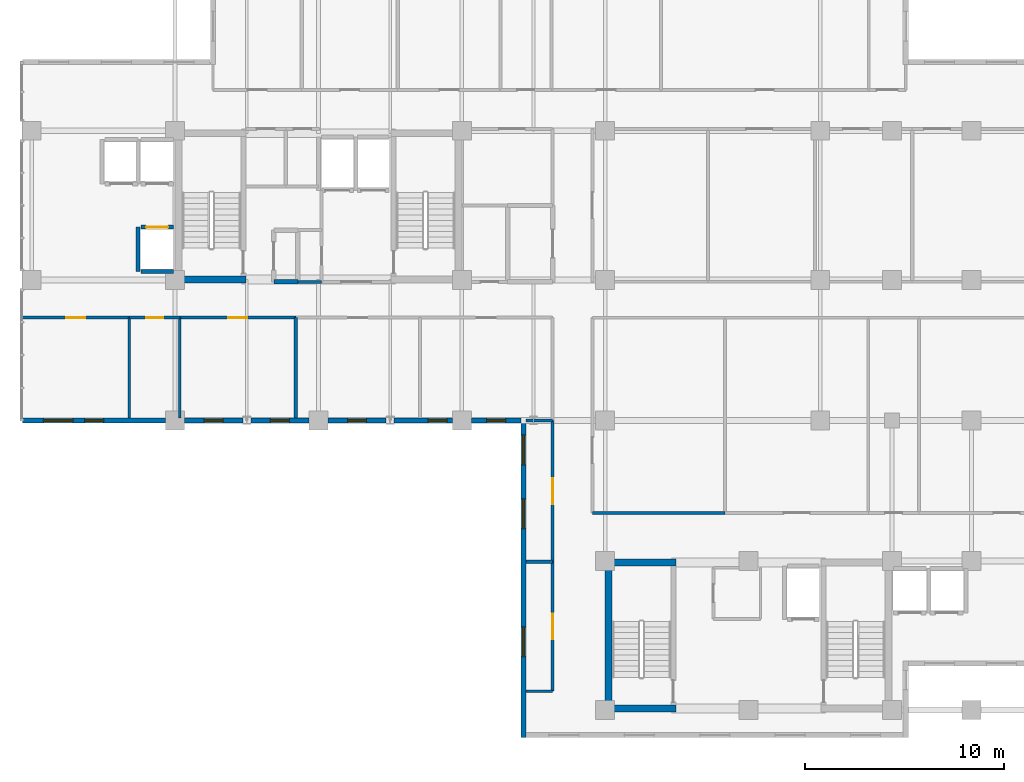
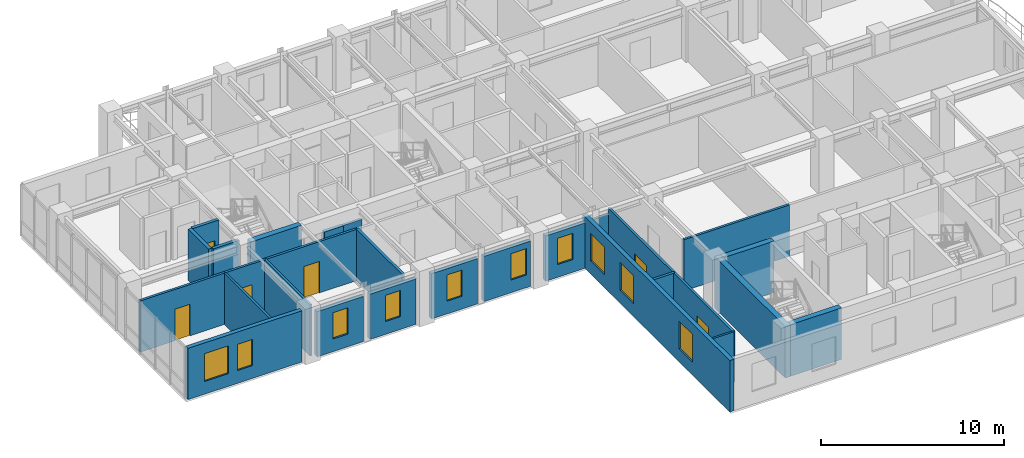
# One storey, part 12 of 20: 28 walls, 10 windows, 6 doors, 16 openings.
"""IFC4 building model written with IfcOpenShell, lengths in metres."""

from ifc_helpers import new_model, si_unit, direction, frame, frame_2d, origin, place, context, subcontext, project, spatial, rectangle, extrude, material, layer, layer_set, type_object, element, fill, save


model = new_model("IFC4")

# Units and contexts
model_context = context("Model", 3, precision=1e-05, world=origin(), true_north=direction((0.0, 1.0)))
body_context = subcontext(model_context, "Body", "Model", "MODEL_VIEW")
ifc_project = project(units=[si_unit("LENGTHUNIT", "METRE"), si_unit("AREAUNIT", "SQUARE_METRE"), si_unit("VOLUMEUNIT", "CUBIC_METRE"), si_unit("PLANEANGLEUNIT", "RADIAN"), si_unit("MASSUNIT", "GRAM", prefix="KILO")], contexts=[model_context])

# Site, building, storey
site_placement = place(None, origin())
site = spatial("IfcSite", under=ifc_project, at=site_placement, CompositionType="ELEMENT")
building_placement = place(site_placement, origin())
building = spatial("IfcBuilding", under=site, at=building_placement, Name="Kaliganga Portal Commons", CompositionType="ELEMENT")
storey_placement = place(building_placement, frame((0.0, 0.0, 231.39990234375)))
storey = spatial("IfcBuildingStorey", under=building, at=storey_placement, Name="L59", CompositionType="ELEMENT", Elevation=231.39990234375)

# Walls
ifc_material_1 = material(Name="Concrete C50/60", Category="concrete")
ifc_layer_1 = layer(ifc_material_1, 0.35009765625)
ifc_layer_set_1 = layer_set([ifc_layer_1], Name="Concrete C50/60")
wall_type_1 = type_object("IfcWallType", Name="WL-CORE-350", PredefinedType="SHEAR", material=ifc_layer_set_1)
wall_1_placement = place(storey_placement, frame((14.75, 28.675048828125, 0.0), z_axis=(0.0, 0.0, 1.0), x_axis=(1.0, 0.0, 0.0)))
element("IfcWall", 1, at=wall_1_placement, inside=storey, type_object=wall_type_1, Name="Core A S-West Shear Wall L59", PredefinedType="SHEAR", context=body_context, shape_type="SweptSolid", body=[
    extrude(rectangle(XDim=3.199951171875, YDim=0.35009765625, at=frame_2d((1.60009765625, 0.0))), origin(), (0.0, 0.0, 1.0), 3.440185546875),
])
wall_2_placement = place(storey_placement, frame((36.175048828125, 6.949951171875, 0.0), z_axis=(0.0, 0.0, 1.0), x_axis=(0.0, 1.0, 0.0)))
element("IfcWall", 2, at=wall_2_placement, inside=storey, type_object=wall_type_1, Name="Core B West Shear Wall L59", PredefinedType="SHEAR", context=body_context, shape_type="SweptSolid", body=[
    extrude(rectangle(XDim=7.699951171875, YDim=0.35009765625, at=frame_2d((3.85009765625, 0.0))), origin(), (0.0, 0.0, 1.0), 3.440185546875),
])
for number, where, z_axis, x_axis, name in (
    (3, (36.35009765625, 7.125, 0.0), (0.0, 0.0, 1.0), (1.0, 0.0, 0.0), "Core B S-West Shear Wall L59"),
    (4, (36.35009765625, 14.47509765625, 0.0), (0.0, 0.0, 1.0), (1.0, 0.0, 0.0), "Core B N-West Shear Wall L59"),
):
    element("IfcWall", number, at=place(storey_placement, frame(where, z_axis=z_axis, x_axis=x_axis)), inside=storey, type_object=wall_type_1, Name=name, PredefinedType="SHEAR", context=body_context, shape_type="SweptSolid", body=[
        extrude(rectangle(XDim=3.199951171875, YDim=0.35009765625, at=frame_2d((1.60009765625, 0.0))), origin(), (0.0, 0.0, 1.0), 3.440185546875),
    ])

# Wall, openings, windows
ifc_material_2 = material(Name="Insulated Aluminium-Clad Spandrel Assembly", Category="aluminium")
ifc_layer_2 = layer(ifc_material_2, 0.260009765625)
ifc_layer_set_2 = layer_set([ifc_layer_2], Name="Insulated Aluminium-Clad Spandrel Assembly")
wall_type_2 = type_object("IfcWallType", Name="WL-EXT-SPAND-260", PredefinedType="STANDARD", material=ifc_layer_set_2)
wall_3_placement = place(storey_placement, frame((13.924072265625, 21.60009765625, 0.0), z_axis=(0.0, 0.0, 1.0), x_axis=(-1.0, 0.0, 0.0)))
wall_3 = element("IfcWall", 5, at=wall_3_placement, inside=storey, type_object=wall_type_2, Name="Exterior Envelope Wall L59 P1-E10-S1", PredefinedType="STANDARD", context=body_context, shape_type="SweptSolid", body=[
    extrude(rectangle(XDim=7.18701171875, YDim=0.260009765625, at=frame_2d((3.593505859375, 0.0))), origin(), (0.0, 0.0, 1.0), 3.420166015625),
])
opening_1_placement = place(wall_3_placement, frame((4.64013671875, 0.0, 0.85009765625)))
opening_1 = element("IfcOpeningElement", 6, at=opening_1_placement, cuts=wall_3, Name="Opening W-02", PredefinedType="OPENING", context=body_context, shape_type="SweptSolid", body=[
    extrude(rectangle(XDim=1.5, YDim=1.85009765625, at=frame_2d((0.75, 0.925048828125))), frame((0.0, 0.14013671875, 0.0), z_axis=(0.0, -1.0, 0.0), x_axis=(1.0, 0.0, 0.0)), (0.0, 0.0, 1.0), 0.280029296875),
])
opening_2_placement = place(wall_3_placement, frame((3.118408203125, 0.0, 0.85009765625)))
opening_2 = element("IfcOpeningElement", 7, at=opening_2_placement, cuts=wall_3, Name="Opening W-04", PredefinedType="OPENING", context=body_context, shape_type="SweptSolid", body=[
    extrude(rectangle(XDim=0.949951171875, YDim=1.75, at=frame_2d((0.47509765625, 0.875))), frame((0.0, 0.14013671875, 0.0), z_axis=(0.0, -1.0, 0.0), x_axis=(1.0, 0.0, 0.0)), (0.0, 0.0, 1.0), 0.280029296875),
])
ifc_material_3 = material(Name="Thermally Broken Aluminium and Low-E Double Glazing", Category="aluminium")
window_type_1 = type_object("IfcWindowType", Name="WIN-NARROW-950", PartitioningType="SINGLE_PANEL", PredefinedType="WINDOW", material=ifc_material_3)
window_1_placement = place(opening_2_placement, origin())
window_1 = element("IfcWindow", 8, at=window_1_placement, inside=storey, type_object=window_type_1, Name="Facade Window L59-P1E10S1-N0", OverallHeight=1.75, OverallWidth=0.949951171875, PartitioningType="SINGLE_PANEL", PredefinedType="WINDOW", context=body_context, shape_type="SweptSolid", body=[
    extrude(rectangle(XDim=0.949951171875, YDim=1.75, at=frame_2d((0.47509765625, 0.875))), frame((0.0, 0.030029296875, 0.0), z_axis=(0.0, -1.0, 0.0), x_axis=(1.0, 0.0, 0.0)), (0.0, 0.0, 1.0), 0.06005859375),
])
fill(opening_2, window_1)
window_type_2 = type_object("IfcWindowType", Name="WIN-STD-1500", PartitioningType="DOUBLE_PANEL_VERTICAL", PredefinedType="WINDOW", material=ifc_material_3)
window_2_placement = place(opening_1_placement, origin())
window_2 = element("IfcWindow", 9, at=window_2_placement, inside=storey, type_object=window_type_2, Name="Facade Window L59-P1E10S1-01", OverallHeight=1.85009765625, OverallWidth=1.5, PartitioningType="SINGLE_PANEL", PredefinedType="WINDOW", context=body_context, shape_type="SweptSolid", body=[
    extrude(rectangle(XDim=1.5, YDim=1.85009765625, at=frame_2d((0.75, 0.925048828125))), frame((0.0, 0.030029296875, 0.0), z_axis=(0.0, -1.0, 0.0), x_axis=(1.0, 0.0, 0.0)), (0.0, 0.0, 1.0), 0.06005859375),
])
fill(opening_1, window_2)

# Wall, opening, window
wall_4_placement = place(storey_placement, frame((17.799560546875, 21.60009765625, 0.0), z_axis=(0.0, 0.0, 1.0), x_axis=(-1.0, 0.0, 0.0)))
wall_4 = element("IfcWall", 10, at=wall_4_placement, inside=storey, type_object=wall_type_2, Name="Exterior Envelope Wall L59 P1-E10-S2", PredefinedType="STANDARD", context=body_context, shape_type="SweptSolid", body=[
    extrude(rectangle(XDim=2.923583984375, YDim=0.260009765625, at=frame_2d((1.4619140625, 0.0))), origin(), (0.0, 0.0, 1.0), 3.02001953125),
])
opening_3_placement = place(wall_4_placement, frame((0.98681640625, 0.0, 0.85009765625)))
opening_3 = element("IfcOpeningElement", 11, at=opening_3_placement, cuts=wall_4, Name="Opening W-04", PredefinedType="OPENING", context=body_context, shape_type="SweptSolid", body=[
    extrude(rectangle(XDim=0.949951171875, YDim=1.75, at=frame_2d((0.47509765625, 0.875))), frame((0.0, 0.14013671875, 0.0), z_axis=(0.0, -1.0, 0.0), x_axis=(1.0, 0.0, 0.0)), (0.0, 0.0, 1.0), 0.280029296875),
])
window_3_placement = place(opening_3_placement, origin())
window_3 = element("IfcWindow", 12, at=window_3_placement, inside=storey, type_object=window_type_1, Name="Facade Window L59-P1E10S2-00", OverallHeight=1.75, OverallWidth=0.949951171875, PartitioningType="SINGLE_PANEL", PredefinedType="WINDOW", context=body_context, shape_type="SweptSolid", body=[
    extrude(rectangle(XDim=0.949951171875, YDim=1.75, at=frame_2d((0.47509765625, 0.875))), frame((0.0, 0.030029296875, 0.0), z_axis=(0.0, -1.0, 0.0), x_axis=(1.0, 0.0, 0.0)), (0.0, 0.0, 1.0), 0.06005859375),
])
fill(opening_3, window_3)

wall_5_placement = place(storey_placement, frame((21.1240234375, 21.60009765625, 0.0), z_axis=(0.0, 0.0, 1.0), x_axis=(-1.0, 0.0, 0.0)))
wall_5 = element("IfcWall", 13, at=wall_5_placement, inside=storey, type_object=wall_type_2, Name="Exterior Envelope Wall L59 P1-E10-S3", PredefinedType="STANDARD", context=body_context, shape_type="SweptSolid", body=[
    extrude(rectangle(XDim=2.923583984375, YDim=0.260009765625, at=frame_2d((1.4619140625, 0.0))), origin(), (0.0, 0.0, 1.0), 3.02001953125),
])
opening_4_placement = place(wall_5_placement, frame((0.98681640625, 0.0, 0.85009765625)))
opening_4 = element("IfcOpeningElement", 14, at=opening_4_placement, cuts=wall_5, Name="Opening W-04", PredefinedType="OPENING", context=body_context, shape_type="SweptSolid", body=[
    extrude(rectangle(XDim=0.949951171875, YDim=1.75, at=frame_2d((0.47509765625, 0.875))), frame((0.0, 0.14013671875, 0.0), z_axis=(0.0, -1.0, 0.0), x_axis=(1.0, 0.0, 0.0)), (0.0, 0.0, 1.0), 0.280029296875),
])
window_4_placement = place(opening_4_placement, origin())
window_4 = element("IfcWindow", 15, at=window_4_placement, inside=storey, type_object=window_type_1, Name="Facade Window L59-P1E10S3-00", OverallHeight=1.75, OverallWidth=0.949951171875, PartitioningType="SINGLE_PANEL", PredefinedType="WINDOW", context=body_context, shape_type="SweptSolid", body=[
    extrude(rectangle(XDim=0.949951171875, YDim=1.75, at=frame_2d((0.47509765625, 0.875))), frame((0.0, 0.030029296875, 0.0), z_axis=(0.0, -1.0, 0.0), x_axis=(1.0, 0.0, 0.0)), (0.0, 0.0, 1.0), 0.06005859375),
])
fill(opening_4, window_4)

wall_6_placement = place(storey_placement, frame((24.99951171875, 21.60009765625, 0.0), z_axis=(0.0, 0.0, 1.0), x_axis=(-1.0, 0.0, 0.0)))
wall_6 = element("IfcWall", 16, at=wall_6_placement, inside=storey, type_object=wall_type_2, Name="Exterior Envelope Wall L59 P1-E10-S4", PredefinedType="STANDARD", context=body_context, shape_type="SweptSolid", body=[
    extrude(rectangle(XDim=2.923583984375, YDim=0.260009765625, at=frame_2d((1.4619140625, 0.0))), origin(), (0.0, 0.0, 1.0), 3.02001953125),
])
opening_5_placement = place(wall_6_placement, frame((0.98681640625, 0.0, 0.85009765625)))
opening_5 = element("IfcOpeningElement", 17, at=opening_5_placement, cuts=wall_6, Name="Opening W-04", PredefinedType="OPENING", context=body_context, shape_type="SweptSolid", body=[
    extrude(rectangle(XDim=0.949951171875, YDim=1.75, at=frame_2d((0.47509765625, 0.875))), frame((0.0, 0.14013671875, 0.0), z_axis=(0.0, -1.0, 0.0), x_axis=(1.0, 0.0, 0.0)), (0.0, 0.0, 1.0), 0.280029296875),
])
window_5_placement = place(opening_5_placement, origin())
window_5 = element("IfcWindow", 18, at=window_5_placement, inside=storey, type_object=window_type_1, Name="Facade Window L59-P1E10S4-00", OverallHeight=1.75, OverallWidth=0.949951171875, PartitioningType="SINGLE_PANEL", PredefinedType="WINDOW", context=body_context, shape_type="SweptSolid", body=[
    extrude(rectangle(XDim=0.949951171875, YDim=1.75, at=frame_2d((0.47509765625, 0.875))), frame((0.0, 0.030029296875, 0.0), z_axis=(0.0, -1.0, 0.0), x_axis=(1.0, 0.0, 0.0)), (0.0, 0.0, 1.0), 0.06005859375),
])
fill(opening_5, window_5)

wall_7_placement = place(storey_placement, frame((28.323974609375, 21.60009765625, 0.0), z_axis=(0.0, 0.0, 1.0), x_axis=(-1.0, 0.0, 0.0)))
wall_7 = element("IfcWall", 19, at=wall_7_placement, inside=storey, type_object=wall_type_2, Name="Exterior Envelope Wall L59 P1-E10-S5", PredefinedType="STANDARD", context=body_context, shape_type="SweptSolid", body=[
    extrude(rectangle(XDim=2.923583984375, YDim=0.260009765625, at=frame_2d((1.4619140625, 0.0))), origin(), (0.0, 0.0, 1.0), 3.02001953125),
])
opening_6_placement = place(wall_7_placement, frame((0.26171875, 0.0, 0.85009765625)))
opening_6 = element("IfcOpeningElement", 20, at=opening_6_placement, cuts=wall_7, Name="Opening W-04", PredefinedType="OPENING", context=body_context, shape_type="SweptSolid", body=[
    extrude(rectangle(XDim=0.949951171875, YDim=1.75, at=frame_2d((0.47509765625, 0.875))), frame((0.0, 0.14013671875, 0.0), z_axis=(0.0, -1.0, 0.0), x_axis=(1.0, 0.0, 0.0)), (0.0, 0.0, 1.0), 0.280029296875),
])
window_6_placement = place(opening_6_placement, origin())
window_6 = element("IfcWindow", 21, at=window_6_placement, inside=storey, type_object=window_type_1, Name="Facade Window L59-P1E10S5-N1", OverallHeight=1.75, OverallWidth=0.949951171875, PartitioningType="SINGLE_PANEL", PredefinedType="WINDOW", context=body_context, shape_type="SweptSolid", body=[
    extrude(rectangle(XDim=0.949951171875, YDim=1.75, at=frame_2d((0.47509765625, 0.875))), frame((0.0, 0.030029296875, 0.0), z_axis=(0.0, -1.0, 0.0), x_axis=(1.0, 0.0, 0.0)), (0.0, 0.0, 1.0), 0.06005859375),
])
fill(opening_6, window_6)

wall_8_placement = place(storey_placement, frame((31.764892578125, 21.60009765625, 0.0), z_axis=(0.0, 0.0, 1.0), x_axis=(-1.0, 0.0, 0.0)))
wall_8 = element("IfcWall", 22, at=wall_8_placement, inside=storey, type_object=wall_type_2, Name="Exterior Envelope Wall L59 P1-E10-S6", PredefinedType="STANDARD", context=body_context, shape_type="SweptSolid", body=[
    extrude(rectangle(XDim=2.489013671875, YDim=0.260009765625, at=frame_2d((1.24462890625, 0.0))), origin(), (0.0, 0.0, 1.0), 3.02001953125),
])
opening_7_placement = place(wall_8_placement, frame((0.76953125, 0.0, 0.85009765625)))
opening_7 = element("IfcOpeningElement", 23, at=opening_7_placement, cuts=wall_8, Name="Opening W-04", PredefinedType="OPENING", context=body_context, shape_type="SweptSolid", body=[
    extrude(rectangle(XDim=0.949951171875, YDim=1.75, at=frame_2d((0.47509765625, 0.875))), frame((0.0, 0.14013671875, 0.0), z_axis=(0.0, -1.0, 0.0), x_axis=(1.0, 0.0, 0.0)), (0.0, 0.0, 1.0), 0.280029296875),
])
window_7_placement = place(opening_7_placement, origin())
window_7 = element("IfcWindow", 24, at=window_7_placement, inside=storey, type_object=window_type_1, Name="Facade Window L59-P1E10S6-00", OverallHeight=1.75, OverallWidth=0.949951171875, PartitioningType="SINGLE_PANEL", PredefinedType="WINDOW", context=body_context, shape_type="SweptSolid", body=[
    extrude(rectangle(XDim=0.949951171875, YDim=1.75, at=frame_2d((0.47509765625, 0.875))), frame((0.0, 0.030029296875, 0.0), z_axis=(0.0, -1.0, 0.0), x_axis=(1.0, 0.0, 0.0)), (0.0, 0.0, 1.0), 0.06005859375),
])
fill(opening_7, window_7)

# Wall, openings, windows
wall_9_placement = place(storey_placement, frame((31.89990234375, 5.669921875, 0.0), z_axis=(0.0, 0.0, 1.0), x_axis=(0.0, 1.0, 0.0)))
wall_9 = element("IfcWall", 25, at=wall_9_placement, inside=storey, type_object=wall_type_2, Name="Exterior Envelope Wall L59 P1-E11-S1", PredefinedType="STANDARD", context=body_context, shape_type="SweptSolid", body=[
    extrude(rectangle(XDim=16.06005859375, YDim=0.260009765625, at=frame_2d((8.030029296875, 0.0))), origin(), (0.0, 0.0, 1.0), 3.420166015625),
])
opening_8_placement = place(wall_9_placement, frame((4.068115234375, 0.0, 0.85009765625)))
opening_8 = element("IfcOpeningElement", 26, at=opening_8_placement, cuts=wall_9, Name="Opening W-02", PredefinedType="OPENING", context=body_context, shape_type="SweptSolid", body=[
    extrude(rectangle(XDim=1.5, YDim=1.85009765625, at=frame_2d((0.75, 0.925048828125))), frame((0.0, 0.14013671875, 0.0), z_axis=(0.0, -1.0, 0.0), x_axis=(1.0, 0.0, 0.0)), (0.0, 0.0, 1.0), 0.280029296875),
])
opening_9_placement = place(wall_9_placement, frame((10.491943359375, 0.0, 0.85009765625)))
opening_9 = element("IfcOpeningElement", 27, at=opening_9_placement, cuts=wall_9, Name="Opening W-02", PredefinedType="OPENING", context=body_context, shape_type="SweptSolid", body=[
    extrude(rectangle(XDim=1.5, YDim=1.85009765625, at=frame_2d((0.75, 0.925048828125))), frame((0.0, 0.14013671875, 0.0), z_axis=(0.0, -1.0, 0.0), x_axis=(1.0, 0.0, 0.0)), (0.0, 0.0, 1.0), 0.280029296875),
])
opening_10_placement = place(wall_9_placement, frame((13.7041015625, 0.0, 0.85009765625)))
opening_10 = element("IfcOpeningElement", 28, at=opening_10_placement, cuts=wall_9, Name="Opening W-02", PredefinedType="OPENING", context=body_context, shape_type="SweptSolid", body=[
    extrude(rectangle(XDim=1.5, YDim=1.85009765625, at=frame_2d((0.75, 0.925048828125))), frame((0.0, 0.14013671875, 0.0), z_axis=(0.0, -1.0, 0.0), x_axis=(1.0, 0.0, 0.0)), (0.0, 0.0, 1.0), 0.280029296875),
])
window_8_placement = place(opening_8_placement, origin())
window_8 = element("IfcWindow", 29, at=window_8_placement, inside=storey, type_object=window_type_2, Name="Facade Window L59-P1E11S1-01", OverallHeight=1.85009765625, OverallWidth=1.5, PartitioningType="SINGLE_PANEL", PredefinedType="WINDOW", context=body_context, shape_type="SweptSolid", body=[
    extrude(rectangle(XDim=1.5, YDim=1.85009765625, at=frame_2d((0.75, 0.925048828125))), frame((0.0, 0.030029296875, 0.0), z_axis=(0.0, -1.0, 0.0), x_axis=(1.0, 0.0, 0.0)), (0.0, 0.0, 1.0), 0.06005859375),
])
fill(opening_8, window_8)
window_9_placement = place(opening_9_placement, origin())
window_9 = element("IfcWindow", 30, at=window_9_placement, inside=storey, type_object=window_type_2, Name="Facade Window L59-P1E11S1-03", OverallHeight=1.85009765625, OverallWidth=1.5, PartitioningType="SINGLE_PANEL", PredefinedType="WINDOW", context=body_context, shape_type="SweptSolid", body=[
    extrude(rectangle(XDim=1.5, YDim=1.85009765625, at=frame_2d((0.75, 0.925048828125))), frame((0.0, 0.030029296875, 0.0), z_axis=(0.0, -1.0, 0.0), x_axis=(1.0, 0.0, 0.0)), (0.0, 0.0, 1.0), 0.06005859375),
])
fill(opening_9, window_9)
window_10_placement = place(opening_10_placement, origin())
window_10 = element("IfcWindow", 31, at=window_10_placement, inside=storey, type_object=window_type_2, Name="Facade Window L59-P1E11S1-04", OverallHeight=1.85009765625, OverallWidth=1.5, PartitioningType="SINGLE_PANEL", PredefinedType="WINDOW", context=body_context, shape_type="SweptSolid", body=[
    extrude(rectangle(XDim=1.5, YDim=1.85009765625, at=frame_2d((0.75, 0.925048828125))), frame((0.0, 0.030029296875, 0.0), z_axis=(0.0, -1.0, 0.0), x_axis=(1.0, 0.0, 0.0)), (0.0, 0.0, 1.0), 0.06005859375),
])
fill(opening_10, window_10)

# Wall, opening, door
ifc_material_4 = material(Name="Fire-Rated Gypsum Board on Steel Stud", Category="steel")
ifc_layer_3 = layer(ifc_material_4, 0.14990234375)
ifc_layer_set_3 = layer_set([ifc_layer_3], Name="Fire-Rated Gypsum Board on Steel Stud")
wall_type_3 = type_object("IfcWallType", Name="WL-PART-CORR-150", PredefinedType="PARTITIONING", material=ifc_layer_set_3)
wall_10_placement = place(storey_placement, frame((33.360107421875, 14.5, 0.0), z_axis=(0.0, 0.0, 1.0), x_axis=(0.0, 1.0, 0.0)))
wall_10 = element("IfcWall", 32, at=wall_10_placement, inside=storey, type_object=wall_type_3, Name="Interior Partition L59-008", PredefinedType="PARTITIONING", context=body_context, shape_type="SweptSolid", body=[
    extrude(rectangle(XDim=7.10009765625, YDim=0.14990234375, at=frame_2d((3.550048828125, 0.0))), origin(), (0.0, 0.0, 1.0), 3.420166015625),
])
opening_11_placement = place(wall_10_placement, frame((2.89990234375, 0.0, 0.0)))
opening_11 = element("IfcOpeningElement", 33, at=opening_11_placement, cuts=wall_10, Name="Opening RD-03", PredefinedType="OPENING", context=body_context, shape_type="SweptSolid", body=[
    extrude(rectangle(XDim=1.300048828125, YDim=2.1201171875, at=frame_2d((0.64990234375, 1.06005859375))), frame((0.0, 0.0849609375, 0.0), z_axis=(0.0, -1.0, 0.0), x_axis=(1.0, 0.0, 0.0)), (0.0, 0.0, 1.0), 0.169921875),
])
ifc_material_5 = material(Name="Glazed Timber Seminar Vision Door", Category="wood")
door_type_1 = type_object("IfcDoorType", Name="DR-STUDY-1300", OperationType="DOUBLE_DOOR_SINGLE_SWING", PredefinedType="DOOR", material=ifc_material_5)
door_1_placement = place(opening_11_placement, origin())
door_1 = element("IfcDoor", 34, at=door_1_placement, inside=storey, type_object=door_type_1, Name="Interior Door L59-KW02", OperationType="DOUBLE_DOOR_SINGLE_SWING", OverallHeight=2.1201171875, OverallWidth=1.300048828125, PredefinedType="DOOR", context=body_context, shape_type="SweptSolid", body=[
    extrude(rectangle(XDim=1.300048828125, YDim=2.1201171875, at=frame_2d((0.64990234375, 1.06005859375))), frame((0.0, 0.02490234375, 0.0), z_axis=(0.0, -1.0, 0.0), x_axis=(1.0, 0.0, 0.0)), (0.0, 0.0, 1.0), 0.050048828125),
])
fill(opening_11, door_1)

# Wall
wall_11_placement = place(storey_placement, frame((35.360107421875, 16.9599609375, 0.0), z_axis=(0.0, 0.0, 1.0), x_axis=(1.0, 0.0, 0.0)))
element("IfcWall", 35, at=wall_11_placement, inside=storey, type_object=wall_type_3, Name="Interior Partition L59-009", PredefinedType="PARTITIONING", context=body_context, shape_type="SweptSolid", body=[
    extrude(rectangle(XDim=6.659912109375, YDim=0.14990234375, at=frame_2d((3.330078125, 0.0))), origin(), (0.0, 0.0, 1.0), 3.420166015625),
])

# Wall, opening, door
wall_12_placement = place(storey_placement, frame((33.360107421875, 8.0, 0.0), z_axis=(0.0, 0.0, 1.0), x_axis=(0.0, 1.0, 0.0)))
wall_12 = element("IfcWall", 36, at=wall_12_placement, inside=storey, type_object=wall_type_3, Name="Interior Partition L59-011", PredefinedType="PARTITIONING", context=body_context, shape_type="SweptSolid", body=[
    extrude(rectangle(XDim=6.5, YDim=0.14990234375, at=frame_2d((3.25, 0.0))), origin(), (0.0, 0.0, 1.0), 3.420166015625),
])
opening_12_placement = place(wall_12_placement, frame((2.60009765625, 0.0, 0.0)))
opening_12 = element("IfcOpeningElement", 37, at=opening_12_placement, cuts=wall_12, Name="Opening RD-03", PredefinedType="OPENING", context=body_context, shape_type="SweptSolid", body=[
    extrude(rectangle(XDim=1.300048828125, YDim=2.1201171875, at=frame_2d((0.64990234375, 1.06005859375))), frame((0.0, 0.0849609375, 0.0), z_axis=(0.0, -1.0, 0.0), x_axis=(1.0, 0.0, 0.0)), (0.0, 0.0, 1.0), 0.169921875),
])
door_2_placement = place(opening_12_placement, origin())
door_2 = element("IfcDoor", 38, at=door_2_placement, inside=storey, type_object=door_type_1, Name="Interior Door L59-KW01", OperationType="DOUBLE_DOOR_SINGLE_SWING", OverallHeight=2.1201171875, OverallWidth=1.300048828125, PredefinedType="DOOR", context=body_context, shape_type="SweptSolid", body=[
    extrude(rectangle(XDim=1.300048828125, YDim=2.1201171875, at=frame_2d((0.64990234375, 1.06005859375))), frame((0.0, 0.02490234375, 0.0), z_axis=(0.0, -1.0, 0.0), x_axis=(1.0, 0.0, 0.0)), (0.0, 0.0, 1.0), 0.050048828125),
])
fill(opening_12, door_2)

wall_13_placement = place(storey_placement, frame((14.639892578125, 26.760009765625, 0.0), z_axis=(0.0, 0.0, 1.0), x_axis=(1.0, 0.0, 0.0)))
wall_13 = element("IfcWall", 39, at=wall_13_placement, inside=storey, type_object=wall_type_3, Name="Interior Partition L59-013", PredefinedType="PARTITIONING", context=body_context, shape_type="SweptSolid", body=[
    extrude(rectangle(XDim=5.820068359375, YDim=0.14990234375, at=frame_2d((2.91015625, 0.0))), origin(), (0.0, 0.0, 1.0), 3.420166015625),
])
opening_13_placement = place(wall_13_placement, frame((2.43505859375, 0.0, 0.0)))
opening_13 = element("IfcOpeningElement", 40, at=opening_13_placement, cuts=wall_13, Name="Opening UD-01", PredefinedType="OPENING", context=body_context, shape_type="SweptSolid", body=[
    extrude(rectangle(XDim=0.949951171875, YDim=2.10009765625, at=frame_2d((0.47509765625, 1.050048828125))), frame((0.0, 0.0849609375, 0.0), z_axis=(0.0, -1.0, 0.0), x_axis=(1.0, 0.0, 0.0)), (0.0, 0.0, 1.0), 0.169921875),
])
ifc_material_6 = material(Name="Solid-Core Timber Acoustic Fire Door", Category="wood")
door_type_2 = type_object("IfcDoorType", Name="DR-UNIT-950", OperationType="NOTDEFINED", PredefinedType="DOOR", material=ifc_material_6)
door_3_placement = place(opening_13_placement, origin())
door_3 = element("IfcDoor", 41, at=door_3_placement, inside=storey, type_object=door_type_2, Name="Interior Door L59-AS03", OperationType="SINGLE_SWING_RIGHT", OverallHeight=2.10009765625, OverallWidth=0.949951171875, PredefinedType="DOOR", context=body_context, shape_type="SweptSolid", body=[
    extrude(rectangle(XDim=0.949951171875, YDim=2.10009765625, at=frame_2d((0.47509765625, 1.050048828125))), frame((0.0, 0.02490234375, 0.0), z_axis=(0.0, -1.0, 0.0), x_axis=(1.0, 0.0, 0.0)), (0.0, 0.0, 1.0), 0.050048828125),
])
fill(opening_13, door_3)

wall_14_placement = place(storey_placement, frame((6.719970703125, 26.760009765625, 0.0), z_axis=(0.0, 0.0, 1.0), x_axis=(1.0, 0.0, 0.0)))
wall_14 = element("IfcWall", 42, at=wall_14_placement, inside=storey, type_object=wall_type_3, Name="Interior Partition L59-016", PredefinedType="PARTITIONING", context=body_context, shape_type="SweptSolid", body=[
    extrude(rectangle(XDim=5.380126953125, YDim=0.14990234375, at=frame_2d((2.68994140625, 0.0))), origin(), (0.0, 0.0, 1.0), 3.420166015625),
])
opening_14_placement = place(wall_14_placement, frame((2.215087890625, 0.0, 0.0)))
opening_14 = element("IfcOpeningElement", 43, at=opening_14_placement, cuts=wall_14, Name="Opening UD-01", PredefinedType="OPENING", context=body_context, shape_type="SweptSolid", body=[
    extrude(rectangle(XDim=0.949951171875, YDim=2.10009765625, at=frame_2d((0.47509765625, 1.050048828125))), frame((0.0, 0.0849609375, 0.0), z_axis=(0.0, -1.0, 0.0), x_axis=(1.0, 0.0, 0.0)), (0.0, 0.0, 1.0), 0.169921875),
])
door_4_placement = place(opening_14_placement, origin())
door_4 = element("IfcDoor", 44, at=door_4_placement, inside=storey, type_object=door_type_2, Name="Interior Door L59-AS01", OperationType="SINGLE_SWING_RIGHT", OverallHeight=2.10009765625, OverallWidth=0.949951171875, PredefinedType="DOOR", context=body_context, shape_type="SweptSolid", body=[
    extrude(rectangle(XDim=0.949951171875, YDim=2.10009765625, at=frame_2d((0.47509765625, 1.050048828125))), frame((0.0, 0.02490234375, 0.0), z_axis=(0.0, -1.0, 0.0), x_axis=(1.0, 0.0, 0.0)), (0.0, 0.0, 1.0), 0.050048828125),
])
fill(opening_14, door_4)

wall_15_placement = place(storey_placement, frame((12.10009765625, 26.760009765625, 0.0), z_axis=(0.0, 0.0, 1.0), x_axis=(1.0, 0.0, 0.0)))
wall_15 = element("IfcWall", 45, at=wall_15_placement, inside=storey, type_object=wall_type_3, Name="Interior Partition L59-031", PredefinedType="PARTITIONING", context=body_context, shape_type="SweptSolid", body=[
    extrude(rectangle(XDim=2.539794921875, YDim=0.14990234375, at=frame_2d((1.27001953125, 0.0))), origin(), (0.0, 0.0, 1.0), 3.420166015625),
])
opening_15_placement = place(wall_15_placement, frame((0.844970703125, 0.0, 0.0)))
opening_15 = element("IfcOpeningElement", 46, at=opening_15_placement, cuts=wall_15, Name="Opening WD-01", PredefinedType="OPENING", context=body_context, shape_type="SweptSolid", body=[
    extrude(rectangle(XDim=0.85009765625, YDim=2.0400390625, at=frame_2d((0.425048828125, 1.02001953125))), frame((0.0, 0.0849609375, 0.0), z_axis=(0.0, -1.0, 0.0), x_axis=(1.0, 0.0, 0.0)), (0.0, 0.0, 1.0), 0.169921875),
])
ifc_material_7 = material(Name="Moisture-Resistant Laminate Timber Door", Category="wood")
door_type_3 = type_object("IfcDoorType", Name="DR-WET-850", OperationType="NOTDEFINED", PredefinedType="DOOR", material=ifc_material_7)
door_5_placement = place(opening_15_placement, origin())
door_5 = element("IfcDoor", 47, at=door_5_placement, inside=storey, type_object=door_type_3, Name="Interior Door L59-AS02", OperationType="SINGLE_SWING_RIGHT", OverallHeight=2.0400390625, OverallWidth=0.85009765625, PredefinedType="DOOR", context=body_context, shape_type="SweptSolid", body=[
    extrude(rectangle(XDim=0.85009765625, YDim=2.0400390625, at=frame_2d((0.425048828125, 1.02001953125))), frame((0.0, 0.02490234375, 0.0), z_axis=(0.0, -1.0, 0.0), x_axis=(1.0, 0.0, 0.0)), (0.0, 0.0, 1.0), 0.050048828125),
])
fill(opening_15, door_5)

# Walls
wall_16_placement = place(storey_placement, frame((20.56005859375, 28.56005859375, 0.0), z_axis=(0.0, 0.0, 1.0), x_axis=(1.0, 0.0, 0.0)))
element("IfcWall", 48, at=wall_16_placement, inside=storey, type_object=wall_type_3, Name="Interior Partition L59-041", PredefinedType="PARTITIONING", context=body_context, shape_type="SweptSolid", body=[
    extrude(rectangle(XDim=1.199951171875, YDim=0.14990234375, at=frame_2d((0.60009765625, 0.0))), origin(), (0.0, 0.0, 1.0), 2.52001953125),
])
ifc_material_8 = material(Name="Lightweight blockwork masonry", Category="masonry")
ifc_layer_4 = layer(ifc_material_8, 0.215087890625)
ifc_layer_set_4 = layer_set([ifc_layer_4], Name="Lightweight blockwork masonry")
wall_type_4 = type_object("IfcWallType", Name="WL-PART-PLANT-215", PredefinedType="PARTITIONING", material=ifc_layer_set_4)
wall_17_placement = place(storey_placement, frame((19.360107421875, 28.56005859375, 0.0), z_axis=(0.0, 0.0, 1.0), x_axis=(1.0, 0.0, 0.0)))
element("IfcWall", 49, at=wall_17_placement, inside=storey, type_object=wall_type_4, Name="Interior Partition L59-043", PredefinedType="PARTITIONING", context=body_context, shape_type="SweptSolid", body=[
    extrude(rectangle(XDim=1.199951171875, YDim=0.215087890625, at=frame_2d((0.60009765625, 0.0))), origin(), (0.0, 0.0, 1.0), 2.52001953125),
])
ifc_material_9 = material(Name="Moisture-Resistant Gypsum Partition", Category="gypsum")
ifc_layer_5 = layer(ifc_material_9, 0.114990234375)
ifc_layer_set_5 = layer_set([ifc_layer_5], Name="Moisture-Resistant Gypsum Partition")
wall_type_5 = type_object("IfcWallType", Name="WL-PART-ROOM-115", PredefinedType="PARTITIONING", material=ifc_layer_set_5)
wall_18_placement = place(storey_placement, frame((32.031982421875, 8.0, 0.0), z_axis=(0.0, 0.0, 1.0), x_axis=(1.0, 0.0, 0.0)))
element("IfcWall", 50, at=wall_18_placement, inside=storey, type_object=wall_type_5, Name="Interior Partition L59-082", PredefinedType="PARTITIONING", context=body_context, shape_type="SweptSolid", body=[
    extrude(rectangle(XDim=1.328125, YDim=0.114990234375, at=frame_2d((0.6640625, 0.0))), origin(), (0.0, 0.0, 1.0), 3.420166015625),
])
ifc_material_10 = material(Name="Twin-Stud Acoustic Gypsum Partition", Category="gypsum")
ifc_layer_6 = layer(ifc_material_10, 0.1650390625)
ifc_layer_set_6 = layer_set([ifc_layer_6], Name="Twin-Stud Acoustic Gypsum Partition")
wall_type_6 = type_object("IfcWallType", Name="WL-PART-UNIT-165", PredefinedType="PARTITIONING", material=ifc_layer_set_6)
wall_19_placement = place(storey_placement, frame((20.4599609375, 21.73193359375, 0.0), z_axis=(0.0, 0.0, 1.0), x_axis=(0.0, 1.0, 0.0)))
element("IfcWall", 51, at=wall_19_placement, inside=storey, type_object=wall_type_6, Name="Interior Partition L59-060", PredefinedType="PARTITIONING", context=body_context, shape_type="SweptSolid", body=[
    extrude(rectangle(XDim=5.028076171875, YDim=0.1650390625, at=frame_2d((2.51416015625, 0.0))), origin(), (0.0, 0.0, 1.0), 3.420166015625),
])
wall_20_placement = place(storey_placement, frame((32.031982421875, 14.5, 0.0), z_axis=(0.0, 0.0, 1.0), x_axis=(1.0, 0.0, 0.0)))
element("IfcWall", 52, at=wall_20_placement, inside=storey, type_object=wall_type_6, Name="Interior Partition L59-083", PredefinedType="PARTITIONING", context=body_context, shape_type="SweptSolid", body=[
    extrude(rectangle(XDim=1.328125, YDim=0.1650390625, at=frame_2d((0.6640625, 0.0))), origin(), (0.0, 0.0, 1.0), 3.420166015625),
])
wall_21_placement = place(storey_placement, frame((32.031982421875, 21.60009765625, 0.0), z_axis=(0.0, 0.0, 1.0), x_axis=(1.0, 0.0, 0.0)))
element("IfcWall", 53, at=wall_21_placement, inside=storey, type_object=wall_type_6, Name="Interior Partition L59-084", PredefinedType="PARTITIONING", context=body_context, shape_type="SweptSolid", body=[
    extrude(rectangle(XDim=1.328125, YDim=0.1650390625, at=frame_2d((0.6640625, 0.0))), origin(), (0.0, 0.0, 1.0), 3.02001953125),
])
ifc_material_11 = material(Name="Cement-Board Wet-Room Partition", Category="gypsum")
ifc_layer_7 = layer(ifc_material_11, 0.135009765625)
ifc_layer_set_7 = layer_set([ifc_layer_7], Name="Cement-Board Wet-Room Partition")
wall_type_7 = type_object("IfcWallType", Name="WL-PART-WET-135", PredefinedType="PARTITIONING", material=ifc_layer_set_7)
for number, where, z_axis, x_axis, name in (
    (54, (12.10009765625, 21.73193359375, 0.0), (0.0, 0.0, 1.0), (0.0, 1.0, 0.0), "Interior Partition L59-058"),
    (55, (14.639892578125, 21.73193359375, 0.0), (0.0, 0.0, 1.0), (0.0, 1.0, 0.0), "Interior Partition L59-059"),
):
    element("IfcWall", number, at=place(storey_placement, frame(where, z_axis=z_axis, x_axis=x_axis)), inside=storey, type_object=wall_type_7, Name=name, PredefinedType="PARTITIONING", context=body_context, shape_type="SweptSolid", body=[
        extrude(rectangle(XDim=5.028076171875, YDim=0.135009765625, at=frame_2d((2.51416015625, 0.0))), origin(), (0.0, 0.0, 1.0), 3.420166015625),
    ])
ifc_material_12 = material(Name="Fire-Rated Shaftwall Masonry Assembly", Category="masonry")
ifc_layer_8 = layer(ifc_material_12, 0.199951171875)
ifc_layer_set_8 = layer_set([ifc_layer_8], Name="Fire-Rated Shaftwall Masonry Assembly")
wall_type_8 = type_object("IfcWallType", Name="WL-SHAFT-200", PredefinedType="PARTITIONING", material=ifc_layer_set_8)
wall_22_placement = place(storey_placement, frame((12.675048828125, 29.0849609375, 0.0), z_axis=(0.0, 0.0, 1.0), x_axis=(1.0, 0.0, 0.0)))
element("IfcWall", 56, at=wall_22_placement, inside=storey, type_object=wall_type_8, Name="Lift PL-A4 Hoistway Shaft Wall L59-S", PredefinedType="PARTITIONING", context=body_context, shape_type="SweptSolid", body=[
    extrude(rectangle(XDim=1.64990234375, YDim=0.199951171875, at=frame_2d((0.824951171875, 0.0))), origin(), (0.0, 0.0, 1.0), 3.420166015625),
])

# Wall, opening, door
wall_23_placement = place(storey_placement, frame((12.675048828125, 31.31494140625, 0.0), z_axis=(0.0, 0.0, 1.0), x_axis=(1.0, 0.0, 0.0)))
wall_23 = element("IfcWall", 57, at=wall_23_placement, inside=storey, type_object=wall_type_8, Name="Lift PL-A4 Hoistway Shaft Wall L59-N", PredefinedType="PARTITIONING", context=body_context, shape_type="SweptSolid", body=[
    extrude(rectangle(XDim=1.64990234375, YDim=0.199951171875, at=frame_2d((0.824951171875, 0.0))), origin(), (0.0, 0.0, 1.0), 3.420166015625),
])
opening_16_placement = place(wall_23_placement, frame((0.27490234375, 0.0, 0.0)))
opening_16 = element("IfcOpeningElement", 58, at=opening_16_placement, cuts=wall_23, Name="Opening LD-01", PredefinedType="OPENING", context=body_context, shape_type="SweptSolid", body=[
    extrude(rectangle(XDim=1.10009765625, YDim=2.1201171875, at=frame_2d((0.550048828125, 1.06005859375))), frame((0.0, 0.10986328125, 0.0), z_axis=(0.0, -1.0, 0.0), x_axis=(1.0, 0.0, 0.0)), (0.0, 0.0, 1.0), 0.219970703125),
])
ifc_material_13 = material(Name="Brushed Stainless Steel 316 Lift Landing Door", Category="steel")
door_type_4 = type_object("IfcDoorType", Name="DR-LIFT-1100", OperationType="SLIDING_TO_LEFT", PredefinedType="DOOR", material=ifc_material_13)
door_6_placement = place(opening_16_placement, origin())
door_6 = element("IfcDoor", 59, at=door_6_placement, inside=storey, type_object=door_type_4, Name="Lift PL-A4 Sliding Landing Door L59", OperationType="SLIDING_TO_LEFT", OverallHeight=2.1201171875, OverallWidth=1.10009765625, PredefinedType="DOOR", context=body_context, shape_type="SweptSolid", body=[
    extrude(rectangle(XDim=1.10009765625, YDim=2.1201171875, at=frame_2d((0.550048828125, 1.06005859375))), frame((0.0, 0.02490234375, 0.0), z_axis=(0.0, -1.0, 0.0), x_axis=(1.0, 0.0, 0.0)), (0.0, 0.0, 1.0), 0.050048828125),
])
fill(opening_16, door_6)

# Wall
wall_24_placement = place(storey_placement, frame((12.534912109375, 29.0849609375, 0.0), z_axis=(0.0, 0.0, 1.0), x_axis=(0.0, 1.0, 0.0)))
element("IfcWall", 60, at=wall_24_placement, inside=storey, type_object=wall_type_8, Name="Lift PL-A4 Hoistway Shaft Wall L59-W", PredefinedType="PARTITIONING", context=body_context, shape_type="SweptSolid", body=[
    extrude(rectangle(XDim=2.22998046875, YDim=0.199951171875, at=frame_2d((1.114990234375, 0.0))), origin(), (0.0, 0.0, 1.0), 3.420166015625),
])

save(model, "model.ifc")
